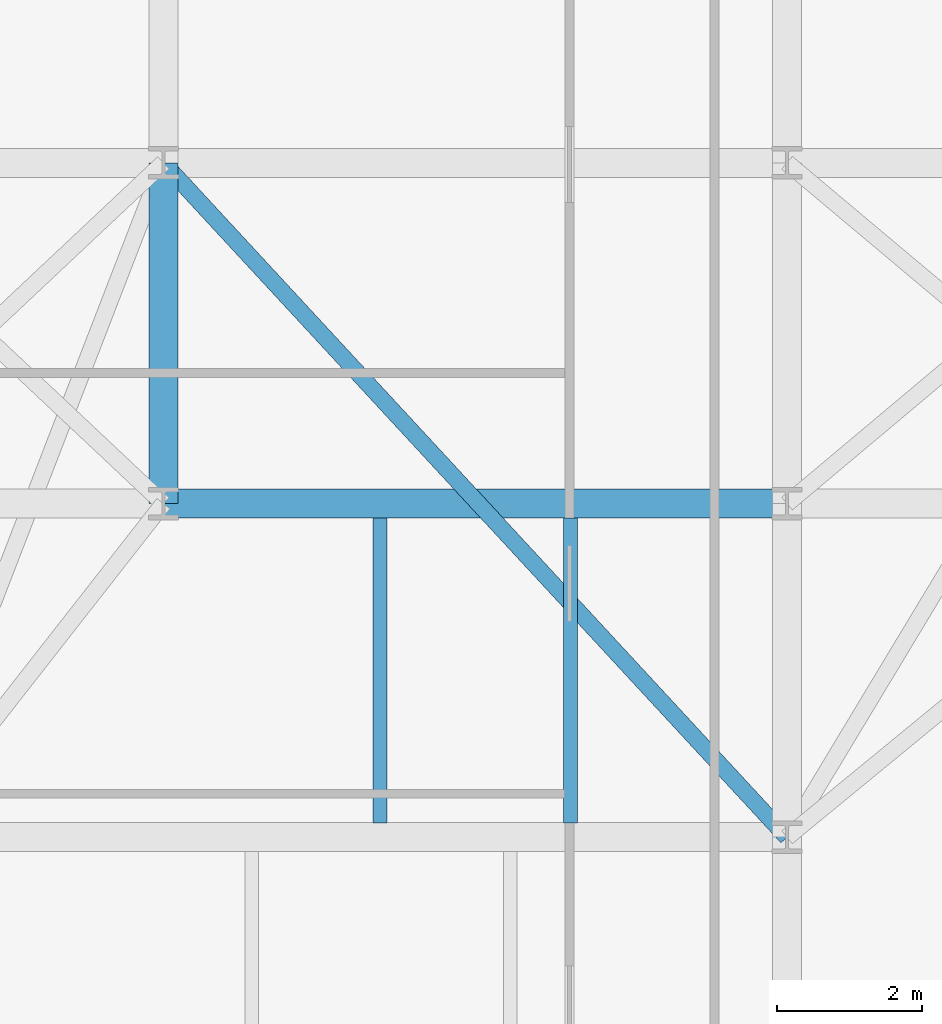
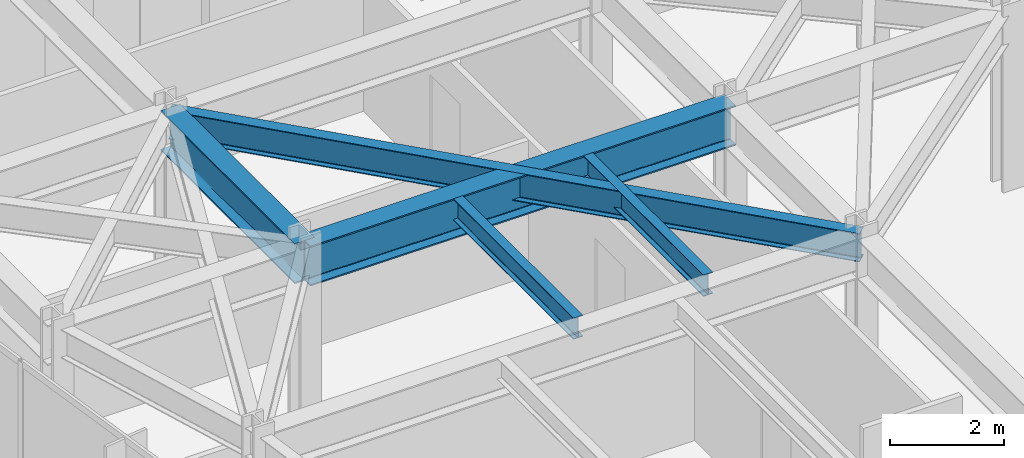
# One storey, part 10 of 26: 5 beams.
"""IFC4 building model written with IfcOpenShell, lengths in metres."""

import ifcopenshell
import ifcopenshell.guid

model = None  # the IFC model being written
_history = None  # IfcOwnerHistory: only IFC2X3 demands one
_inside = {}  # id of a spatial element -> (the spatial element, [elements in it])
_under = {}  # id of a project, library or spatial element -> (it, [spatial elements below it])
_declared = {}  # id of a project -> (the project, [libraries it declares])
_typed = {}  # id of a type object -> (the type object, [elements of that type])
_made_of = {}  # id of a material, layer set ... -> (it, [elements and type objects made of it])


def new_model(schema):
    """Start an empty IFC model of exactly this schema.

    Asked for "IFC4X3", IfcOpenShell would pick the latest addendum, in which some entities
    have other attributes; the version numbers below select the first issue.
    IFC2X3 requires an IfcOwnerHistory on every rooted entity: one is made here for all.
    """
    global model, _history
    if schema == "IFC4X3":
        model = ifcopenshell.file(schema_version=(4, 3, 0, 0))
    else:
        model = ifcopenshell.file(schema=schema)
    _inside.clear()
    _under.clear()
    _declared.clear()
    _typed.clear()
    _made_of.clear()
    _history = None
    if model.schema == "IFC2X3":
        org = make("IfcOrganization", Name="unknown")
        user = make(
            "IfcPersonAndOrganization",
            ThePerson=make("IfcPerson", FamilyName="unknown"),
            TheOrganization=org,
        )
        app = make(
            "IfcApplication",
            ApplicationDeveloper=org,
            Version="unknown",
            ApplicationFullName="unknown",
            ApplicationIdentifier="unknown",
        )
        _history = make(
            "IfcOwnerHistory",
            OwningUser=user,
            OwningApplication=app,
            ChangeAction="ADDED",
            CreationDate=0,
        )
    return model


def make(cls, **values):
    """One entity of the class cls with the attributes given. An attribute that is None is left unset."""
    return model.create_entity(
        cls, **{name: value for name, value in values.items() if value is not None}
    )


def rooted(cls, **values):
    """An entity with a GlobalId (a new one), such as an element, a storey or a relation."""
    return make(cls, GlobalId=ifcopenshell.guid.new(), OwnerHistory=_history, **values)


def si_unit(unit_type, name, prefix=None):
    """IfcSIUnit, for example si_unit("LENGTHUNIT", "METRE", prefix="MILLI")."""
    return make("IfcSIUnit", UnitType=unit_type, Prefix=prefix, Name=name)


def assignment(units):
    """IfcUnitAssignment: the units of a project."""
    return None if units is None else make("IfcUnitAssignment", Units=units)


def point(xyz):
    """IfcCartesianPoint."""
    return None if xyz is None else make("IfcCartesianPoint", Coordinates=xyz)


def direction(xyz):
    """IfcDirection."""
    return None if xyz is None else make("IfcDirection", DirectionRatios=xyz)


def frame(location, z_axis=None, x_axis=None):
    """IfcAxis2Placement3D, a coordinate frame: its origin and axes. An axis left out is left unset."""
    return make(
        "IfcAxis2Placement3D",
        Location=point(location),
        Axis=direction(z_axis),
        RefDirection=direction(x_axis),
    )


def frame_2d(location, x_axis=None):
    """IfcAxis2Placement2D, a coordinate frame in the plane: its origin and x axis."""
    return make(
        "IfcAxis2Placement2D", Location=point(location), RefDirection=direction(x_axis)
    )


def origin():
    """The frame at (0, 0, 0) with its axes left unset."""
    return frame((0.0, 0.0, 0.0))


def origin_2d():
    """The frame at (0, 0) in the plane with its x axis left unset."""
    return frame_2d((0.0, 0.0))


def place(relative_to, where):
    """IfcLocalPlacement: puts the frame where relative to a parent placement (None: the world)."""
    return make(
        "IfcLocalPlacement", PlacementRelTo=relative_to, RelativePlacement=where
    )


def context(
    kind, dimensions, precision=None, world=None, true_north=None, identifier=None
):
    """IfcGeometricRepresentationContext, for example the 3D "Model" context."""
    return make(
        "IfcGeometricRepresentationContext",
        ContextIdentifier=identifier,
        ContextType=kind,
        CoordinateSpaceDimension=dimensions,
        Precision=precision,
        WorldCoordinateSystem=world,
        TrueNorth=true_north,
    )


def subcontext(parent, identifier, kind, view, scale=None):
    """IfcGeometricRepresentationSubContext, for example "Body" below "Model"."""
    return make(
        "IfcGeometricRepresentationSubContext",
        ContextIdentifier=identifier,
        ContextType=kind,
        ParentContext=parent,
        TargetScale=scale,
        TargetView=view,
    )


def project(units=None, contexts=None):
    """IfcProject with its units and contexts."""
    return rooted(
        "IfcProject",
        Name="project",
        RepresentationContexts=contexts,
        UnitsInContext=assignment(units),
    )


def spatial(cls, under=None, at=None, **own):
    """A site, building, storey or space (cls), placed at a placement, below another one or the project."""
    s = rooted(cls, ObjectPlacement=at, **own)
    if under is not None:
        _under.setdefault(under.id(), (under, []))[1].append(s)
    return s


def profile(cls, at=None, kind="AREA", **sizes):
    """A parametric profile (cls). Its sizes go by their IFC names, for example OverallWidth=200.0."""
    return make(cls, ProfileType=kind, Position=at, **sizes)


def i_section(**sizes):
    """IfcIShapeProfileDef."""
    return profile("IfcIShapeProfileDef", **sizes)


def extrude(swept, where, along, depth):
    """IfcExtrudedAreaSolid: the profile swept, set in the frame where, extruded along a direction by depth."""
    return make(
        "IfcExtrudedAreaSolid",
        SweptArea=swept,
        Position=where,
        ExtrudedDirection=direction(along),
        Depth=depth,
    )


def shape(context_of_items, identifier, shape_type, items):
    """IfcShapeRepresentation: the items that make up one representation, for example the "Body"."""
    return make(
        "IfcShapeRepresentation",
        ContextOfItems=context_of_items,
        RepresentationIdentifier=identifier,
        RepresentationType=shape_type,
        Items=items,
    )


def material(Name=None, Category=None):
    """IfcMaterial."""
    return make("IfcMaterial", Name=Name, Category=Category)


def material_profile(
    of_material, cross_section, Name=None, Category=None, Priority=None
):
    """IfcMaterialProfile: a cross section and its material."""
    return make(
        "IfcMaterialProfile",
        Name=Name,
        Material=of_material,
        Profile=cross_section,
        Priority=Priority,
        Category=Category,
    )


def profile_set(profiles, Name=None, composite=None):
    """IfcMaterialProfileSet."""
    return make(
        "IfcMaterialProfileSet",
        Name=Name,
        MaterialProfiles=profiles,
        CompositeProfile=composite,
    )


def made_of(thing, what):
    """Note that an element or type object is made of a material, layer set ...; save() writes the relation."""
    if what is not None:
        _made_of.setdefault(what.id(), (what, []))[1].append(thing)
    return thing


def type_object(cls, material=None, **own):
    """A type object (cls), such as IfcWallType, which elements share."""
    return made_of(rooted(cls, **own), material)


def element(
    cls,
    number,
    at=None,
    inside=None,
    cuts=None,
    type_object=None,
    material=None,
    context=None,
    identifier="Body",
    shape_type=None,
    held_by="IfcProductDefinitionShape",
    body=None,
    shapes=None,
    **own,
):
    """One element of the class cls, such as IfcWall. Its Tag is "e" and its number.

    at: its placement. inside: the storey or other place that contains it. cuts: it is an
    opening in that element (IfcRelVoidsElement). A single representation is given by context,
    identifier, shape_type and body (its items); several are given by shapes. held_by: the class
    of the entity that holds the representations. save() writes the other relations.
    """
    e = rooted(cls, Tag="e%d" % number, ObjectPlacement=at, **own)
    if body is not None:
        shapes = [shape(context, identifier, shape_type, body)]
    if shapes is not None:
        e.Representation = make(held_by, Representations=shapes)
    if inside is not None:
        _inside.setdefault(inside.id(), (inside, []))[1].append(e)
    if cuts is not None:
        rooted(
            "IfcRelVoidsElement", RelatingBuildingElement=cuts, RelatedOpeningElement=e
        )
    if type_object is not None:
        _typed.setdefault(type_object.id(), (type_object, []))[1].append(e)
    return made_of(e, material)


def aggregate(whole, parts):
    """IfcRelAggregates: a whole, such as a stair, and the parts it consists of."""
    return rooted("IfcRelAggregates", RelatingObject=whole, RelatedObjects=parts)


def save(model, path):
    """Write the relations noted so far, then the file.

    IfcRelAggregates (storeys below a building ...), IfcRelContainedInSpatialStructure (elements
    in a storey), IfcRelDefinesByType, IfcRelAssociatesMaterial and IfcRelDeclares: one each for
    every whole, place, type object, material and project.
    """
    for whole, parts in _under.values():
        aggregate(whole, parts)
    for where, things in _inside.values():
        rooted(
            "IfcRelContainedInSpatialStructure",
            RelatedElements=things,
            RelatingStructure=where,
        )
    for kind, things in _typed.values():
        rooted("IfcRelDefinesByType", RelatedObjects=things, RelatingType=kind)
    for what, things in _made_of.values():
        rooted("IfcRelAssociatesMaterial", RelatedObjects=things, RelatingMaterial=what)
    for by, libraries in _declared.values():
        rooted("IfcRelDeclares", RelatingContext=by, RelatedDefinitions=libraries)
    model.write(path)


model = new_model("IFC4")

# Units and contexts
model_context = context("Model", 3, precision=1e-05, world=origin(), true_north=direction((0.0, 1.0)))
body_context = subcontext(model_context, "Body", "Model", "MODEL_VIEW")
ifc_project = project(units=[si_unit("LENGTHUNIT", "METRE"), si_unit("AREAUNIT", "SQUARE_METRE"), si_unit("VOLUMEUNIT", "CUBIC_METRE"), si_unit("PLANEANGLEUNIT", "RADIAN"), si_unit("MASSUNIT", "GRAM", prefix="KILO")], contexts=[model_context])

# Site, building, storey
site_placement = place(None, origin())
site = spatial("IfcSite", under=ifc_project, at=site_placement, CompositionType="ELEMENT")
building_placement = place(site_placement, origin())
building = spatial("IfcBuilding", under=site, at=building_placement, Name="Kravanh Interchange Tower", CompositionType="ELEMENT")
storey_placement = place(building_placement, frame((0.0, 0.0, 140.0)))
storey = spatial("IfcBuildingStorey", under=building, at=storey_placement, Name="L33", CompositionType="ELEMENT", Elevation=140.0)

# Beams
ifc_material_1 = material(Name="Structural Steel S355", Category="steel")
ifc_material_profile_1 = material_profile(ifc_material_1, i_section(OverallWidth=0.39990234375, OverallDepth=0.85595703125, WebThickness=0.018310546875, FlangeThickness=0.029296875, FilletRadius=0.02490234375, at=origin_2d()), Name="W33X201")
ifc_profile_set_1 = profile_set([ifc_material_profile_1], Name="Structural Steel S355")
beam_type_1 = type_object("IfcBeamType", Name="Floor Beam W33X201 Structural Steel S355", PredefinedType="BEAM", material=ifc_profile_set_1)
beam_1_placement = place(storey_placement, frame((18.60009765625, 26.800048828125, 3.322021484375), z_axis=(0.0, 1.0, 0.0), x_axis=(-1.0, 0.0, 0.0)))
element("IfcBeam", 1, at=beam_1_placement, inside=storey, type_object=beam_type_1, Name="L33 Primary Floor Girder 41", PredefinedType="BEAM", context=body_context, shape_type="SweptSolid", body=[
    extrude(i_section(OverallWidth=0.39990234375, OverallDepth=0.85595703125, WebThickness=0.018310546875, FlangeThickness=0.029296875, FilletRadius=0.02490234375, at=origin_2d()), origin(), (0.0, 0.0, 1.0), 4.699951171875),
])
beam_2_placement = place(storey_placement, frame((18.60009765625, 26.800048828125, 3.322021484375), z_axis=(1.0, 0.0, 0.0), x_axis=(0.0, 1.0, 0.0)))
element("IfcBeam", 2, at=beam_2_placement, inside=storey, type_object=beam_type_1, Name="L33 Primary Floor Girder 44", PredefinedType="BEAM", context=body_context, shape_type="SweptSolid", body=[
    extrude(i_section(OverallWidth=0.39990234375, OverallDepth=0.85595703125, WebThickness=0.018310546875, FlangeThickness=0.029296875, FilletRadius=0.02490234375, at=origin_2d()), origin(), (0.0, 0.0, 1.0), 8.599853515625),
])
ifc_material_2 = material(Name="Structural Steel S355", Category="steel")
ifc_material_profile_2 = material_profile(ifc_material_2, i_section(OverallWidth=0.18994140625, OverallDepth=0.45703125, WebThickness=0.009033203125, FlangeThickness=0.014404296875, FilletRadius=0.01806640625, at=origin_2d()), Name="W18X50")
ifc_profile_set_2 = profile_set([ifc_material_profile_2], Name="Structural Steel S355")
beam_type_2 = type_object("IfcBeamType", Name="Floor Joist W18X50 Structural Steel S355", PredefinedType="JOIST", material=ifc_profile_set_2)
for number, where, z_axis, x_axis, name in (
    (3, (21.5859375, 22.39501953125, 3.521484375), (0.0, 1.0, 0.0), (-1.0, 0.0, 0.0), "L33 Secondary Floor Joist 11"),
    (4, (24.214111328125, 22.39501953125, 3.521484375), (0.0, 1.0, 0.0), (-1.0, 0.0, 0.0), "L33 Secondary Floor Joist 12"),
):
    element("IfcBeam", number, at=place(storey_placement, frame(where, z_axis=z_axis, x_axis=x_axis)), inside=storey, type_object=beam_type_2, Name=name, PredefinedType="JOIST", context=body_context, shape_type="SweptSolid", body=[
        extrude(i_section(OverallWidth=0.18994140625, OverallDepth=0.45703125, WebThickness=0.009033203125, FlangeThickness=0.014404296875, FilletRadius=0.01806640625, at=origin_2d()), origin(), (0.0, 0.0, 1.0), 4.2099609375),
    ])
ifc_material_3 = material(Name="Structural Steel S355", Category="steel")
ifc_material_profile_3 = material_profile(ifc_material_3, i_section(OverallWidth=0.22802734375, OverallDepth=0.60791015625, WebThickness=0.01123046875, FlangeThickness=0.017333984375, FilletRadius=0.02197265625, at=origin_2d()), Name="W24X76")
ifc_profile_set_3 = profile_set([ifc_material_profile_3], Name="Structural Steel S355")
beam_type_3 = type_object("IfcBeamType", Name="Floor Spandrel W24X76 Structural Steel S355", PredefinedType="SPANDREL", material=ifc_profile_set_3)
beam_3_placement = place(storey_placement, frame((18.60009765625, 31.5, 3.446044921875), z_axis=(0.678927458783, -0.734205356634, 0.0), x_axis=(0.734205356634, 0.678927458783, 0.0)))
element("IfcBeam", 5, at=beam_3_placement, inside=storey, type_object=beam_type_3, Name="L33 Perimeter Spandrel 73", PredefinedType="SPANDREL", context=body_context, shape_type="SweptSolid", body=[
    extrude(i_section(OverallWidth=0.22802734375, OverallDepth=0.60791015625, WebThickness=0.01123046875, FlangeThickness=0.017333984375, FilletRadius=0.02197265625, at=origin_2d()), origin(), (0.0, 0.0, 1.0), 12.666748046875),
])

save(model, "model.ifc")
